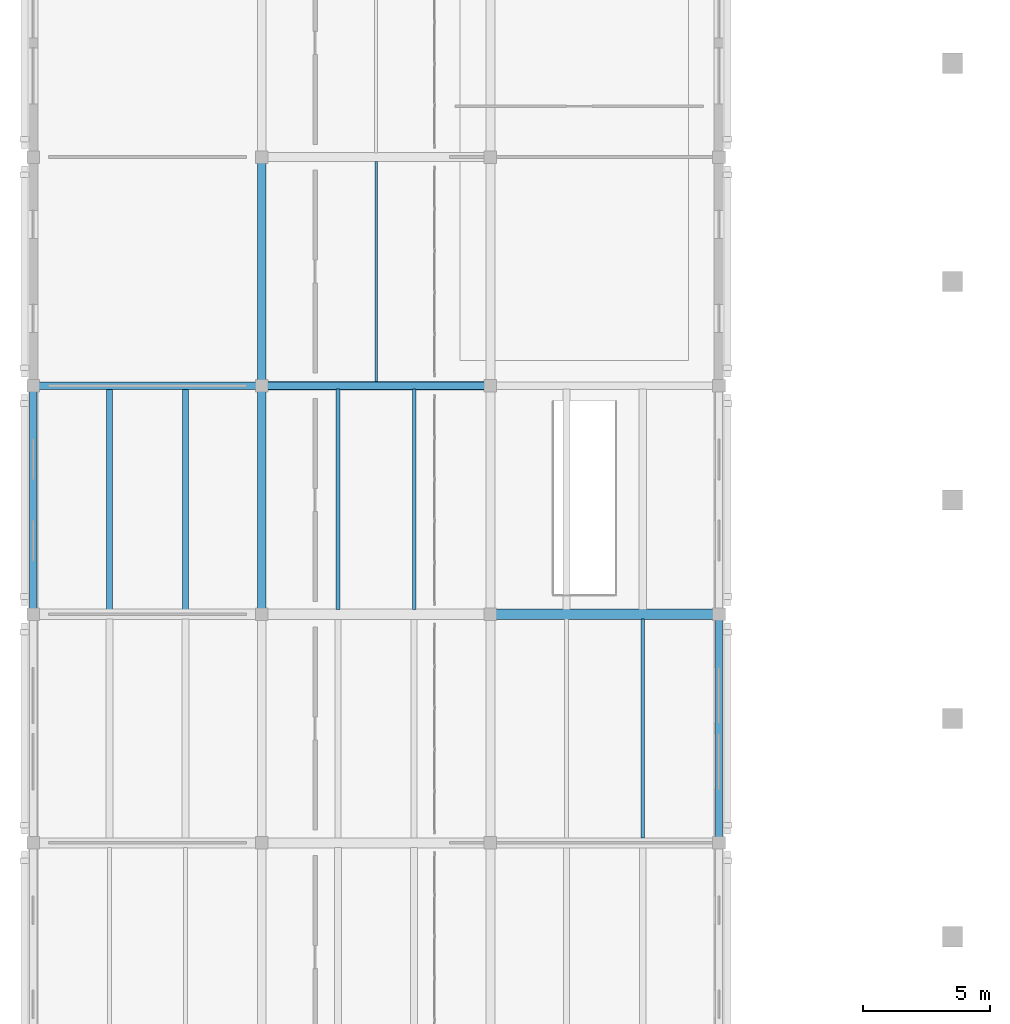
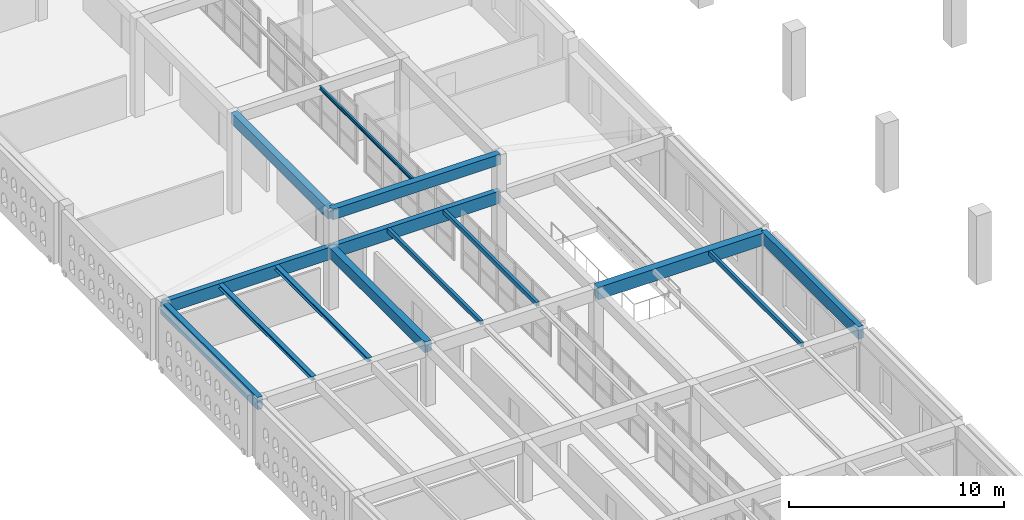
# One storey, part 18 of 156: 14 beams.
"""IFC4 building model written with IfcOpenShell, lengths in metres."""

import ifcopenshell
import ifcopenshell.guid

model = None  # the IFC model being written
_history = None  # IfcOwnerHistory: only IFC2X3 demands one
_inside = {}  # id of a spatial element -> (the spatial element, [elements in it])
_under = {}  # id of a project, library or spatial element -> (it, [spatial elements below it])
_declared = {}  # id of a project -> (the project, [libraries it declares])
_typed = {}  # id of a type object -> (the type object, [elements of that type])
_made_of = {}  # id of a material, layer set ... -> (it, [elements and type objects made of it])


def new_model(schema):
    """Start an empty IFC model of exactly this schema.

    Asked for "IFC4X3", IfcOpenShell would pick the latest addendum, in which some entities
    have other attributes; the version numbers below select the first issue.
    IFC2X3 requires an IfcOwnerHistory on every rooted entity: one is made here for all.
    """
    global model, _history
    if schema == "IFC4X3":
        model = ifcopenshell.file(schema_version=(4, 3, 0, 0))
    else:
        model = ifcopenshell.file(schema=schema)
    _inside.clear()
    _under.clear()
    _declared.clear()
    _typed.clear()
    _made_of.clear()
    _history = None
    if model.schema == "IFC2X3":
        org = make("IfcOrganization", Name="unknown")
        user = make(
            "IfcPersonAndOrganization",
            ThePerson=make("IfcPerson", FamilyName="unknown"),
            TheOrganization=org,
        )
        app = make(
            "IfcApplication",
            ApplicationDeveloper=org,
            Version="unknown",
            ApplicationFullName="unknown",
            ApplicationIdentifier="unknown",
        )
        _history = make(
            "IfcOwnerHistory",
            OwningUser=user,
            OwningApplication=app,
            ChangeAction="ADDED",
            CreationDate=0,
        )
    return model


def make(cls, **values):
    """One entity of the class cls with the attributes given. An attribute that is None is left unset."""
    return model.create_entity(
        cls, **{name: value for name, value in values.items() if value is not None}
    )


def rooted(cls, **values):
    """An entity with a GlobalId (a new one), such as an element, a storey or a relation."""
    return make(cls, GlobalId=ifcopenshell.guid.new(), OwnerHistory=_history, **values)


def si_unit(unit_type, name, prefix=None):
    """IfcSIUnit, for example si_unit("LENGTHUNIT", "METRE", prefix="MILLI")."""
    return make("IfcSIUnit", UnitType=unit_type, Prefix=prefix, Name=name)


def assignment(units):
    """IfcUnitAssignment: the units of a project."""
    return None if units is None else make("IfcUnitAssignment", Units=units)


def point(xyz):
    """IfcCartesianPoint."""
    return None if xyz is None else make("IfcCartesianPoint", Coordinates=xyz)


def direction(xyz):
    """IfcDirection."""
    return None if xyz is None else make("IfcDirection", DirectionRatios=xyz)


def frame(location, z_axis=None, x_axis=None):
    """IfcAxis2Placement3D, a coordinate frame: its origin and axes. An axis left out is left unset."""
    return make(
        "IfcAxis2Placement3D",
        Location=point(location),
        Axis=direction(z_axis),
        RefDirection=direction(x_axis),
    )


def frame_2d(location, x_axis=None):
    """IfcAxis2Placement2D, a coordinate frame in the plane: its origin and x axis."""
    return make(
        "IfcAxis2Placement2D", Location=point(location), RefDirection=direction(x_axis)
    )


def origin():
    """The frame at (0, 0, 0) with its axes left unset."""
    return frame((0.0, 0.0, 0.0))


def origin_2d():
    """The frame at (0, 0) in the plane with its x axis left unset."""
    return frame_2d((0.0, 0.0))


def place(relative_to, where):
    """IfcLocalPlacement: puts the frame where relative to a parent placement (None: the world)."""
    return make(
        "IfcLocalPlacement", PlacementRelTo=relative_to, RelativePlacement=where
    )


def context(
    kind, dimensions, precision=None, world=None, true_north=None, identifier=None
):
    """IfcGeometricRepresentationContext, for example the 3D "Model" context."""
    return make(
        "IfcGeometricRepresentationContext",
        ContextIdentifier=identifier,
        ContextType=kind,
        CoordinateSpaceDimension=dimensions,
        Precision=precision,
        WorldCoordinateSystem=world,
        TrueNorth=true_north,
    )


def subcontext(parent, identifier, kind, view, scale=None):
    """IfcGeometricRepresentationSubContext, for example "Body" below "Model"."""
    return make(
        "IfcGeometricRepresentationSubContext",
        ContextIdentifier=identifier,
        ContextType=kind,
        ParentContext=parent,
        TargetScale=scale,
        TargetView=view,
    )


def project(units=None, contexts=None):
    """IfcProject with its units and contexts."""
    return rooted(
        "IfcProject",
        Name="project",
        RepresentationContexts=contexts,
        UnitsInContext=assignment(units),
    )


def spatial(cls, under=None, at=None, **own):
    """A site, building, storey or space (cls), placed at a placement, below another one or the project."""
    s = rooted(cls, ObjectPlacement=at, **own)
    if under is not None:
        _under.setdefault(under.id(), (under, []))[1].append(s)
    return s


def profile(cls, at=None, kind="AREA", **sizes):
    """A parametric profile (cls). Its sizes go by their IFC names, for example OverallWidth=200.0."""
    return make(cls, ProfileType=kind, Position=at, **sizes)


def rectangle(**sizes):
    """IfcRectangleProfileDef."""
    return profile("IfcRectangleProfileDef", **sizes)


def hollow_rectangle(**sizes):
    """IfcRectangleHollowProfileDef."""
    return profile("IfcRectangleHollowProfileDef", **sizes)


def i_section(**sizes):
    """IfcIShapeProfileDef."""
    return profile("IfcIShapeProfileDef", **sizes)


def extrude(swept, where, along, depth):
    """IfcExtrudedAreaSolid: the profile swept, set in the frame where, extruded along a direction by depth."""
    return make(
        "IfcExtrudedAreaSolid",
        SweptArea=swept,
        Position=where,
        ExtrudedDirection=direction(along),
        Depth=depth,
    )


def shape(context_of_items, identifier, shape_type, items):
    """IfcShapeRepresentation: the items that make up one representation, for example the "Body"."""
    return make(
        "IfcShapeRepresentation",
        ContextOfItems=context_of_items,
        RepresentationIdentifier=identifier,
        RepresentationType=shape_type,
        Items=items,
    )


def material(Name=None, Category=None):
    """IfcMaterial."""
    return make("IfcMaterial", Name=Name, Category=Category)


def material_profile(
    of_material, cross_section, Name=None, Category=None, Priority=None
):
    """IfcMaterialProfile: a cross section and its material."""
    return make(
        "IfcMaterialProfile",
        Name=Name,
        Material=of_material,
        Profile=cross_section,
        Priority=Priority,
        Category=Category,
    )


def profile_set(profiles, Name=None, composite=None):
    """IfcMaterialProfileSet."""
    return make(
        "IfcMaterialProfileSet",
        Name=Name,
        MaterialProfiles=profiles,
        CompositeProfile=composite,
    )


def made_of(thing, what):
    """Note that an element or type object is made of a material, layer set ...; save() writes the relation."""
    if what is not None:
        _made_of.setdefault(what.id(), (what, []))[1].append(thing)
    return thing


def type_object(cls, material=None, **own):
    """A type object (cls), such as IfcWallType, which elements share."""
    return made_of(rooted(cls, **own), material)


def element(
    cls,
    number,
    at=None,
    inside=None,
    cuts=None,
    type_object=None,
    material=None,
    context=None,
    identifier="Body",
    shape_type=None,
    held_by="IfcProductDefinitionShape",
    body=None,
    shapes=None,
    **own,
):
    """One element of the class cls, such as IfcWall. Its Tag is "e" and its number.

    at: its placement. inside: the storey or other place that contains it. cuts: it is an
    opening in that element (IfcRelVoidsElement). A single representation is given by context,
    identifier, shape_type and body (its items); several are given by shapes. held_by: the class
    of the entity that holds the representations. save() writes the other relations.
    """
    e = rooted(cls, Tag="e%d" % number, ObjectPlacement=at, **own)
    if body is not None:
        shapes = [shape(context, identifier, shape_type, body)]
    if shapes is not None:
        e.Representation = make(held_by, Representations=shapes)
    if inside is not None:
        _inside.setdefault(inside.id(), (inside, []))[1].append(e)
    if cuts is not None:
        rooted(
            "IfcRelVoidsElement", RelatingBuildingElement=cuts, RelatedOpeningElement=e
        )
    if type_object is not None:
        _typed.setdefault(type_object.id(), (type_object, []))[1].append(e)
    return made_of(e, material)


def aggregate(whole, parts):
    """IfcRelAggregates: a whole, such as a stair, and the parts it consists of."""
    return rooted("IfcRelAggregates", RelatingObject=whole, RelatedObjects=parts)


def save(model, path):
    """Write the relations noted so far, then the file.

    IfcRelAggregates (storeys below a building ...), IfcRelContainedInSpatialStructure (elements
    in a storey), IfcRelDefinesByType, IfcRelAssociatesMaterial and IfcRelDeclares: one each for
    every whole, place, type object, material and project.
    """
    for whole, parts in _under.values():
        aggregate(whole, parts)
    for where, things in _inside.values():
        rooted(
            "IfcRelContainedInSpatialStructure",
            RelatedElements=things,
            RelatingStructure=where,
        )
    for kind, things in _typed.values():
        rooted("IfcRelDefinesByType", RelatedObjects=things, RelatingType=kind)
    for what, things in _made_of.values():
        rooted("IfcRelAssociatesMaterial", RelatedObjects=things, RelatingMaterial=what)
    for by, libraries in _declared.values():
        rooted("IfcRelDeclares", RelatingContext=by, RelatedDefinitions=libraries)
    model.write(path)


model = new_model("IFC4")

# Units and contexts
model_context = context("Model", 3, precision=1e-05, world=origin(), true_north=direction((0.0, 1.0)))
body_context = subcontext(model_context, "Body", "Model", "MODEL_VIEW")
ifc_project = project(units=[si_unit("LENGTHUNIT", "METRE"), si_unit("AREAUNIT", "SQUARE_METRE"), si_unit("VOLUMEUNIT", "CUBIC_METRE"), si_unit("PLANEANGLEUNIT", "RADIAN"), si_unit("MASSUNIT", "GRAM", prefix="KILO")], contexts=[model_context])

# Site, building, storey
site_placement = place(None, origin())
site = spatial("IfcSite", under=ifc_project, at=site_placement, CompositionType="ELEMENT")
building_placement = place(site_placement, origin())
building = spatial("IfcBuilding", under=site, at=building_placement, Name="Ornek Quay Market", CompositionType="ELEMENT")
storey_placement = place(building_placement, frame((0.0, 0.0, 4.5)))
storey = spatial("IfcBuildingStorey", under=building, at=storey_placement, Name="L01", CompositionType="ELEMENT", Elevation=4.5)

# Beams
ifc_material_1 = material(Name="Concrete C35/45", Category="concrete")
ifc_material_profile_1 = material_profile(ifc_material_1, rectangle(XDim=0.35009765625, YDim=0.60009765625, at=origin_2d()), Name="RC 350x600", Category="concrete")
ifc_profile_set_1 = profile_set([ifc_material_profile_1], Name="Concrete C35/45")
beam_type_1 = type_object("IfcBeamType", Name="BM-RF-350x600", PredefinedType="BEAM", material=ifc_profile_set_1)
for number, where, z_axis, x_axis, name in (
    (1, (9.0, 56.0, 3.179931640625), (0.0, 1.0, 0.0), (-1.0, 0.0, 0.0), "Primary beam B-RF1-005"),
    (2, (9.0, 65.0, 5.2900390625), (1.0, 0.0, 0.0), (0.0, 1.0, 0.0), "Primary beam B-RF1-011"),
    (3, (9.0, 65.0, 5.2900390625), (0.0, 1.0, 0.0), (-1.0, 0.0, 0.0), "Primary beam B-RF1-015"),
):
    element("IfcBeam", number, at=place(storey_placement, frame(where, z_axis=z_axis, x_axis=x_axis)), inside=storey, type_object=beam_type_1, Name=name, PredefinedType="BEAM", context=body_context, shape_type="SweptSolid", body=[
        extrude(rectangle(XDim=0.35009765625, YDim=0.60009765625, at=origin_2d()), origin(), (0.0, 0.0, 1.0), 9.0),
    ])
ifc_material_2 = material(Name="Steel S355", Category="steel")
ifc_material_profile_2 = material_profile(ifc_material_2, hollow_rectangle(XDim=0.14990234375, YDim=0.25, WallThickness=0.010009765625, at=origin_2d()), Name="RHS 250x150x10", Category="steel")
ifc_profile_set_2 = profile_set([ifc_material_profile_2], Name="Steel S355")
beam_type_2 = type_object("IfcBeamType", Name="BM-RHS-RHS250x150x10", PredefinedType="BEAM", material=ifc_profile_set_2)
for number, where, z_axis, x_axis, name in (
    (4, (12.0, 56.19189453125, 3.35498046875), (0.0, 1.0, 0.0), (-1.0, 0.0, 0.0), "Secondary joist SR-05-005"),
    (5, (15.0, 56.19189453125, 3.35498046875), (0.0, 1.0, 0.0), (-1.0, 0.0, 0.0), "Secondary joist SR-05-006"),
):
    element("IfcBeam", number, at=place(storey_placement, frame(where, z_axis=z_axis, x_axis=x_axis)), inside=storey, type_object=beam_type_2, Name=name, PredefinedType="BEAM", context=body_context, shape_type="SweptSolid", body=[
        extrude(hollow_rectangle(XDim=0.14990234375, YDim=0.25, WallThickness=0.010009765625, at=origin_2d()), origin(), (0.0, 0.0, 1.0), 8.676025390625),
    ])
beam_1_placement = place(storey_placement, frame((24.0, 47.19189453125, 3.35498046875), z_axis=(0.0, 1.0, 0.0), x_axis=(-1.0, 0.0, 0.0)))
element("IfcBeam", 6, at=beam_1_placement, inside=storey, type_object=beam_type_2, Name="Secondary joist SR-05-010", PredefinedType="BEAM", context=body_context, shape_type="SweptSolid", body=[
    extrude(hollow_rectangle(XDim=0.14990234375, YDim=0.25, WallThickness=0.010009765625, at=origin_2d()), origin(), (0.0, 0.0, 1.0), 8.6162109375),
])
ifc_material_profile_3 = material_profile(ifc_material_1, rectangle(XDim=0.280029296875, YDim=0.699951171875, at=origin_2d()), Name="RC 280x700", Category="concrete")
ifc_profile_set_3 = profile_set([ifc_material_profile_3], Name="Concrete C35/45")
beam_type_3 = type_object("IfcBeamType", Name="BM-SPN-280x700", PredefinedType="SPANDREL", material=ifc_profile_set_3)
for number, where, z_axis, x_axis, name in (
    (7, (0.0, 65.0, 3.1298828125), (1.0, 0.0, 0.0), (0.0, 1.0, 0.0), "Primary beam B-SP2-004"),
    (8, (9.0, 65.0, 3.1298828125), (1.0, 0.0, 0.0), (0.0, 1.0, 0.0), "Primary beam B-SP2-005"),
    (9, (0.0, 56.0, 3.1298828125), (0.0, 1.0, 0.0), (-1.0, 0.0, 0.0), "Primary beam B-SP2-011"),
    (10, (27.0, 47.0, 3.1298828125), (0.0, 1.0, 0.0), (-1.0, 0.0, 0.0), "Primary beam B-SP2-015"),
):
    element("IfcBeam", number, at=place(storey_placement, frame(where, z_axis=z_axis, x_axis=x_axis)), inside=storey, type_object=beam_type_3, Name=name, PredefinedType="SPANDREL", context=body_context, shape_type="SweptSolid", body=[
        extrude(rectangle(XDim=0.280029296875, YDim=0.699951171875, at=origin_2d()), origin(), (0.0, 0.0, 1.0), 9.0),
    ])
ifc_material_profile_4 = material_profile(ifc_material_2, i_section(OverallWidth=0.239990234375, OverallDepth=0.22998046875, WebThickness=0.007568359375, FlangeThickness=0.011962890625, FilletRadius=0.02099609375, at=origin_2d()), Name="HEA 240", Category="steel")
ifc_profile_set_4 = profile_set([ifc_material_profile_4], Name="Steel S355")
beam_type_4 = type_object("IfcBeamType", Name="BM-STL-HEA240", PredefinedType="BEAM", material=ifc_profile_set_4)
for number, where, z_axis, x_axis, name in (
    (11, (3.0, 56.19189453125, 3.364990234375), (0.0, 1.0, 0.0), (-1.0, 0.0, 0.0), "Secondary joist SB-14-003"),
    (12, (6.0, 56.19189453125, 3.364990234375), (0.0, 1.0, 0.0), (-1.0, 0.0, 0.0), "Secondary joist SB-14-004"),
):
    element("IfcBeam", number, at=place(storey_placement, frame(where, z_axis=z_axis, x_axis=x_axis)), inside=storey, type_object=beam_type_4, Name=name, PredefinedType="BEAM", context=body_context, shape_type="SweptSolid", body=[
        extrude(i_section(OverallWidth=0.239990234375, OverallDepth=0.22998046875, WebThickness=0.007568359375, FlangeThickness=0.011962890625, FilletRadius=0.02099609375, at=origin_2d()), origin(), (0.0, 0.0, 1.0), 8.676025390625),
    ])
ifc_material_profile_5 = material_profile(ifc_material_2, i_section(OverallWidth=0.10009765625, OverallDepth=0.199951171875, WebThickness=0.005615234375, FlangeThickness=0.008544921875, FilletRadius=0.011962890625, at=origin_2d()), Name="IPE 200", Category="steel")
ifc_profile_set_5 = profile_set([ifc_material_profile_5], Name="Steel S355")
beam_type_5 = type_object("IfcBeamType", Name="BM-STL-IPE200", PredefinedType="JOIST", material=ifc_profile_set_5)
beam_2_placement = place(storey_placement, frame((13.5, 65.1669921875, 5.489990234375), z_axis=(0.0, 1.0, 0.0), x_axis=(-1.0, 0.0, 0.0)))
element("IfcBeam", 13, at=beam_2_placement, inside=storey, type_object=beam_type_5, Name="Secondary joist SB-02-013", PredefinedType="JOIST", context=body_context, shape_type="SweptSolid", body=[
    extrude(i_section(OverallWidth=0.10009765625, OverallDepth=0.199951171875, WebThickness=0.005615234375, FlangeThickness=0.008544921875, FilletRadius=0.011962890625, at=origin_2d()), origin(), (0.0, 0.0, 1.0), 8.666015625),
])
ifc_material_profile_6 = material_profile(ifc_material_1, rectangle(XDim=0.39990234375, YDim=0.699951171875, at=origin_2d()), Name="RC 400x700", Category="concrete")
ifc_profile_set_6 = profile_set([ifc_material_profile_6], Name="Concrete C35/45")
beam_type_6 = type_object("IfcBeamType", Name="BM-WW-400x700", PredefinedType="BEAM", material=ifc_profile_set_6)
beam_3_placement = place(storey_placement, frame((18.0, 56.0, 3.1298828125), z_axis=(1.0, 0.0, 0.0), x_axis=(0.0, 1.0, 0.0)))
element("IfcBeam", 14, at=beam_3_placement, inside=storey, type_object=beam_type_6, Name="Primary beam B-WW1-059", PredefinedType="BEAM", context=body_context, shape_type="SweptSolid", body=[
    extrude(rectangle(XDim=0.39990234375, YDim=0.699951171875, at=origin_2d()), origin(), (0.0, 0.0, 1.0), 9.0),
])

save(model, "model.ifc")
